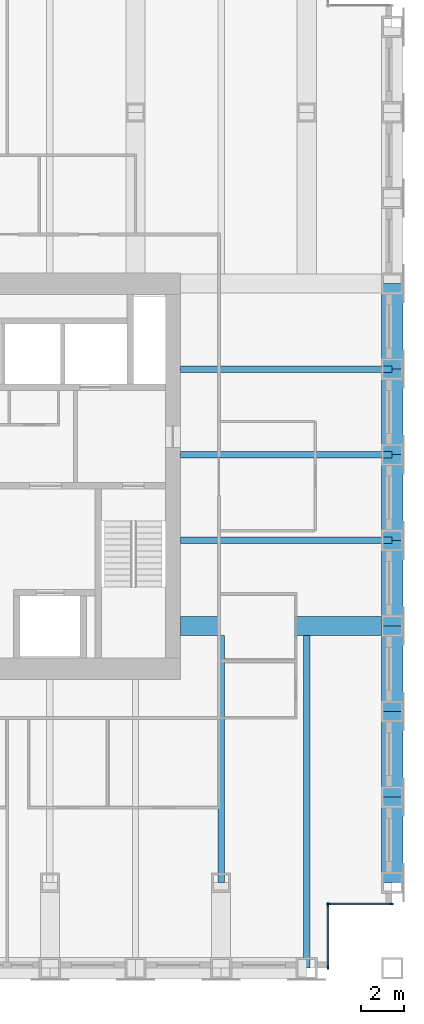
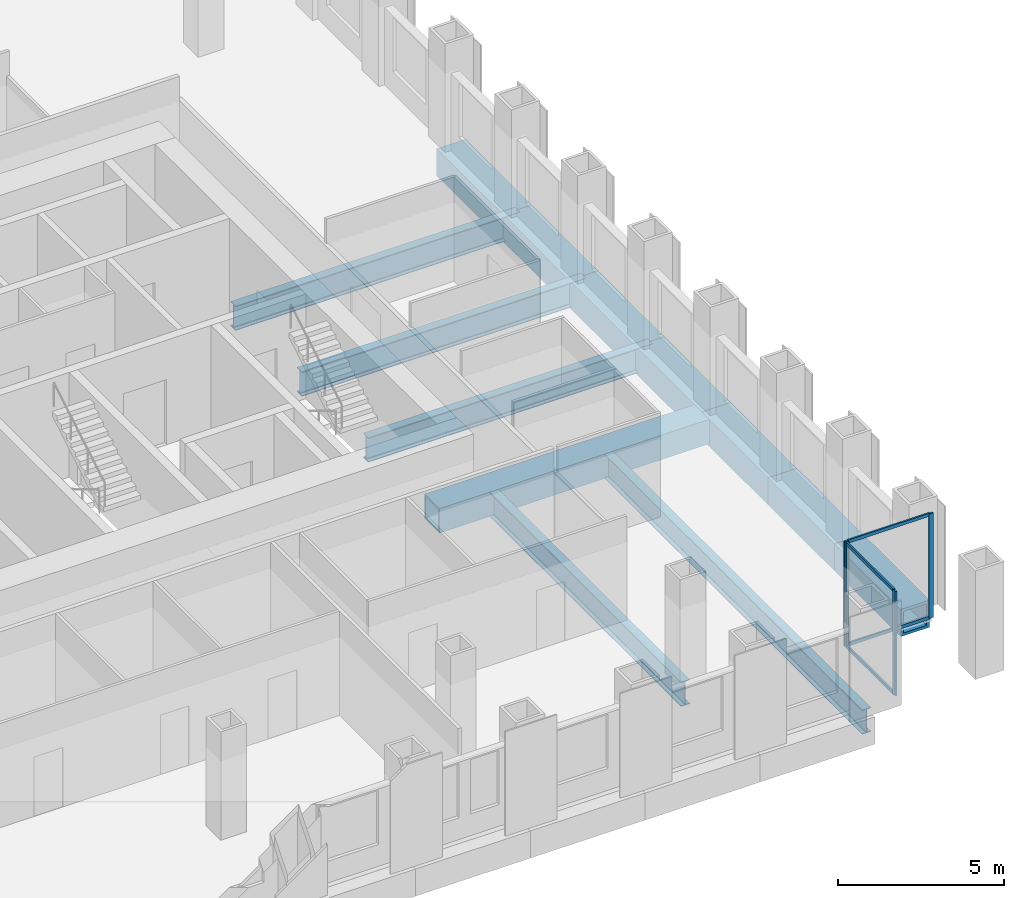
# One storey, part 4 of 12: 13 beams, 8 members, 2 elements without a shape of their own.
"""IFC4 building model written with IfcOpenShell, lengths in metres."""

from ifc_helpers import new_model, si_unit, direction, frame, origin, origin_2d, place, context, subcontext, project, spatial, rectangle, hollow_rectangle, i_section, extrude, material, material_profile, profile_set, type_object, element, aggregate, save


model = new_model("IFC4")

# Units and contexts
model_context = context("Model", 3, precision=1e-05, world=origin(), true_north=direction((0.0, 1.0)))
body_context = subcontext(model_context, "Body", "Model", "MODEL_VIEW")
ifc_project = project(units=[si_unit("LENGTHUNIT", "METRE"), si_unit("AREAUNIT", "SQUARE_METRE"), si_unit("VOLUMEUNIT", "CUBIC_METRE"), si_unit("PLANEANGLEUNIT", "RADIAN"), si_unit("MASSUNIT", "GRAM", prefix="KILO")], contexts=[model_context])

# Site, building, storey
site_placement = place(None, origin())
site = spatial("IfcSite", under=ifc_project, at=site_placement, CompositionType="ELEMENT")
building_placement = place(site_placement, origin())
building = spatial("IfcBuilding", under=site, at=building_placement, Name="Rimbunsela Tower", CompositionType="ELEMENT")
storey_placement = place(building_placement, frame((0.0, 0.0, 155.800048828125)))
storey = spatial("IfcBuildingStorey", under=building, at=storey_placement, Name="L37", CompositionType="ELEMENT", Elevation=155.800048828125)

# Beams
ifc_material_1 = material(Name="Steel BJ 55 (fy 410 MPa)", Category="steel")
ifc_material_profile_1 = material_profile(ifc_material_1, hollow_rectangle(XDim=1.0, YDim=1.0, WallThickness=0.10009765625, at=origin_2d()), Name="BOX 1000x1000x100")
ifc_profile_set_1 = profile_set([ifc_material_profile_1], Name="Steel BJ 55 (fy 410 MPa)")
beam_type_1 = type_object("IfcBeamType", Name="Beam BOX 1000x1000x100", PredefinedType="BEAM", material=ifc_profile_set_1)
for number, where, z_axis, x_axis, name in (
    (1, (46.0, 8.0, -0.650146484375), (0.0, 1.0, 0.0), (-1.0, 0.0, 0.0), "Beam B3 L37"),
    (2, (46.0, 12.0, -0.650146484375), (0.0, 1.0, 0.0), (-1.0, 0.0, 0.0), "Beam B3 L37"),
    (3, (46.0, 16.0, -0.650146484375), (0.0, 1.0, 0.0), (-1.0, 0.0, 0.0), "Beam B3 L37"),
    (4, (46.0, 20.0, -0.650146484375), (0.0, 1.0, 0.0), (-1.0, 0.0, 0.0), "Beam B3 L37"),
    (5, (46.0, 24.0, -0.650146484375), (0.0, 1.0, 0.0), (-1.0, 0.0, 0.0), "Beam B3 L37"),
    (6, (46.0, 28.0, -0.650146484375), (0.0, 1.0, 0.0), (-1.0, 0.0, 0.0), "Beam B3 L37"),
    (7, (46.0, 32.0, -0.650146484375), (0.0, 1.0, 0.0), (-1.0, 0.0, 0.0), "Beam B3 L37"),
):
    element("IfcBeam", number, at=place(storey_placement, frame(where, z_axis=z_axis, x_axis=x_axis)), inside=storey, type_object=beam_type_1, Name=name, PredefinedType="BEAM", context=body_context, shape_type="SweptSolid", body=[
        extrude(hollow_rectangle(XDim=1.0, YDim=1.0, WallThickness=0.10009765625, at=origin_2d()), origin(), (0.0, 0.0, 1.0), 4.0),
    ])
ifc_material_2 = material(Name="Steel BJ 55 (fy 410 MPa)", Category="steel")
ifc_material_profile_2 = material_profile(ifc_material_2, hollow_rectangle(XDim=0.89990234375, YDim=0.89990234375, WallThickness=0.06005859375, at=origin_2d()), Name="BOX 900x900x60")
ifc_profile_set_2 = profile_set([ifc_material_profile_2], Name="Steel BJ 55 (fy 410 MPa)")
beam_type_2 = type_object("IfcBeamType", Name="Beam BOX 900x900x60", PredefinedType="BEAM", material=ifc_profile_set_2)
beam_1_placement = place(storey_placement, frame((36.10009765625, 20.0, -0.60009765625), z_axis=(1.0, 0.0, 0.0), x_axis=(0.0, 1.0, 0.0)))
element("IfcBeam", 8, at=beam_1_placement, inside=storey, type_object=beam_type_2, Name="Beam B1 L37", PredefinedType="BEAM", context=body_context, shape_type="SweptSolid", body=[
    extrude(hollow_rectangle(XDim=0.89990234375, YDim=0.89990234375, WallThickness=0.06005859375, at=origin_2d()), origin(), (0.0, 0.0, 1.0), 9.89990234375),
])
ifc_material_3 = material(Name="Steel BJ 55 (fy 410 MPa)", Category="steel")
ifc_material_profile_3 = material_profile(ifc_material_3, i_section(OverallWidth=0.300048828125, OverallDepth=0.89990234375, WebThickness=0.01611328125, FlangeThickness=0.028076171875, FilletRadius=0.028076171875, at=origin_2d()), Name="H 900x300x16x28")
ifc_profile_set_3 = profile_set([ifc_material_profile_3], Name="Steel BJ 55 (fy 410 MPa)")
beam_type_3 = type_object("IfcBeamType", Name="Beam H 900x300x16x28", PredefinedType="BEAM", material=ifc_profile_set_3)
for number, where, z_axis, x_axis, name in (
    (9, (36.10009765625, 24.0, -0.60009765625), (1.0, 0.0, 0.0), (0.0, 1.0, 0.0), "Beam B2 L37"),
    (10, (36.10009765625, 28.0, -0.60009765625), (1.0, 0.0, 0.0), (0.0, 1.0, 0.0), "Beam B2 L37"),
    (11, (36.10009765625, 32.0, -0.60009765625), (1.0, 0.0, 0.0), (0.0, 1.0, 0.0), "Beam B2 L37"),
):
    element("IfcBeam", number, at=place(storey_placement, frame(where, z_axis=z_axis, x_axis=x_axis)), inside=storey, type_object=beam_type_3, Name=name, PredefinedType="BEAM", context=body_context, shape_type="SweptSolid", body=[
        extrude(i_section(OverallWidth=0.300048828125, OverallDepth=0.89990234375, WebThickness=0.01611328125, FlangeThickness=0.028076171875, FilletRadius=0.028076171875, at=origin_2d()), origin(), (0.0, 0.0, 1.0), 9.89990234375),
    ])
beam_2_placement = place(storey_placement, frame((38.0, 8.0, -0.60009765625), z_axis=(0.0, 1.0, 0.0), x_axis=(-1.0, 0.0, 0.0)))
element("IfcBeam", 12, at=beam_2_placement, inside=storey, type_object=beam_type_3, Name="Beam B2 L37", PredefinedType="BEAM", context=body_context, shape_type="SweptSolid", body=[
    extrude(i_section(OverallWidth=0.300048828125, OverallDepth=0.89990234375, WebThickness=0.01611328125, FlangeThickness=0.028076171875, FilletRadius=0.028076171875, at=origin_2d()), origin(), (0.0, 0.0, 1.0), 11.550048828125),
])
beam_3_placement = place(storey_placement, frame((42.0, 4.0, -0.60009765625), z_axis=(0.0, 1.0, 0.0), x_axis=(-1.0, 0.0, 0.0)))
element("IfcBeam", 13, at=beam_3_placement, inside=storey, type_object=beam_type_3, Name="Beam B2 L37", PredefinedType="BEAM", context=body_context, shape_type="SweptSolid", body=[
    extrude(i_section(OverallWidth=0.300048828125, OverallDepth=0.89990234375, WebThickness=0.01611328125, FlangeThickness=0.028076171875, FilletRadius=0.028076171875, at=origin_2d()), origin(), (0.0, 0.0, 1.0), 15.550048828125),
])

# Curtain wall, members
ifc_material_4 = material(Name="Aluminium curtain wall", Category="aluminium")
curtain_wall_type = type_object("IfcCurtainWallType", Name="Corner glazing", PredefinedType="USERDEFINED", material=ifc_material_4)
curtain_wall_1_placement = place(storey_placement, origin())
curtain_wall_1 = element("IfcCurtainWall", 14, at=curtain_wall_1_placement, inside=storey, type_object=curtain_wall_type, Name="Corner glazing L37", ObjectType="CORNER GLAZING", PredefinedType="USERDEFINED")
ifc_material_5 = material(Name="Aluminium mullion", Category="aluminium")
ifc_material_profile_4 = material_profile(ifc_material_5, rectangle(XDim=0.06005859375, YDim=0.159912109375, at=origin_2d()), Name="Mullion 60x160")
ifc_profile_set_4 = profile_set([ifc_material_profile_4], Name="Aluminium mullion")
member_type_1 = type_object("IfcMemberType", Name="Curtain wall mullion 60x160", PredefinedType="MULLION", material=ifc_profile_set_4)
member_1_placement = place(storey_placement, frame((43.0, 4.030029296875, 0.0), z_axis=(0.0, 0.0, 1.0), x_axis=(-1.0, 0.0, 0.0)))
member_1 = element("IfcMember", 15, at=member_1_placement, type_object=member_type_1, Name="CW5 mullion 1", PredefinedType="MULLION", context=body_context, shape_type="SweptSolid", body=[
    extrude(rectangle(XDim=0.06005859375, YDim=0.159912109375, at=origin_2d()), origin(), (0.0, 0.0, 1.0), 3.849853515625),
])
member_2_placement = place(storey_placement, frame((43.0, 6.969970703125, 0.0), z_axis=(0.0, 0.0, 1.0), x_axis=(-1.0, 0.0, 0.0)))
member_2 = element("IfcMember", 16, at=member_2_placement, type_object=member_type_1, Name="CW5 mullion 2", PredefinedType="MULLION", context=body_context, shape_type="SweptSolid", body=[
    extrude(rectangle(XDim=0.06005859375, YDim=0.159912109375, at=origin_2d()), origin(), (0.0, 0.0, 1.0), 3.849853515625),
])

curtain_wall_2_placement = place(storey_placement, origin())
curtain_wall_2 = element("IfcCurtainWall", 17, at=curtain_wall_2_placement, inside=storey, type_object=curtain_wall_type, Name="Corner glazing L37", ObjectType="CORNER GLAZING", PredefinedType="USERDEFINED")
member_3_placement = place(storey_placement, frame((43.030029296875, 7.0, 0.0), z_axis=(0.0, 0.0, 1.0), x_axis=(0.0, 1.0, 0.0)))
member_3 = element("IfcMember", 18, at=member_3_placement, type_object=member_type_1, Name="CW5 mullion 1", PredefinedType="MULLION", context=body_context, shape_type="SweptSolid", body=[
    extrude(rectangle(XDim=0.06005859375, YDim=0.159912109375, at=origin_2d()), origin(), (0.0, 0.0, 1.0), 3.849853515625),
])
member_4_placement = place(storey_placement, frame((45.969970703125, 7.0, 0.0), z_axis=(0.0, 0.0, 1.0), x_axis=(0.0, 1.0, 0.0)))
member_4 = element("IfcMember", 19, at=member_4_placement, type_object=member_type_1, Name="CW5 mullion 2", PredefinedType="MULLION", context=body_context, shape_type="SweptSolid", body=[
    extrude(rectangle(XDim=0.06005859375, YDim=0.159912109375, at=origin_2d()), origin(), (0.0, 0.0, 1.0), 3.849853515625),
])

# Member
ifc_material_6 = material(Name="Aluminium transom", Category="aluminium")
ifc_material_profile_5 = material_profile(ifc_material_6, rectangle(XDim=0.06005859375, YDim=0.1201171875, at=origin_2d()), Name="Transom 60x120")
ifc_profile_set_5 = profile_set([ifc_material_profile_5], Name="Aluminium transom")
member_type_2 = type_object("IfcMemberType", Name="Curtain wall transom 60x120", PredefinedType="USERDEFINED", material=ifc_profile_set_5)
member_5_placement = place(storey_placement, frame((43.0, 4.06005859375, 0.030029296875), z_axis=(0.0, 1.0, 0.0), x_axis=(-1.0, 0.0, 0.0)))
member_5 = element("IfcMember", 20, at=member_5_placement, type_object=member_type_2, Name="CW5 transom 1.1", ObjectType="TRANSOM", PredefinedType="USERDEFINED", context=body_context, shape_type="SweptSolid", body=[
    extrude(rectangle(XDim=0.06005859375, YDim=0.1201171875, at=origin_2d()), origin(), (0.0, 0.0, 1.0), 2.8798828125),
])

member_6_placement = place(storey_placement, frame((43.0, 4.06005859375, 3.820068359375), z_axis=(0.0, 1.0, 0.0), x_axis=(-1.0, 0.0, 0.0)))
member_6 = element("IfcMember", 21, at=member_6_placement, type_object=member_type_2, Name="CW5 transom 1.2", ObjectType="TRANSOM", PredefinedType="USERDEFINED", context=body_context, shape_type="SweptSolid", body=[
    extrude(rectangle(XDim=0.06005859375, YDim=0.1201171875, at=origin_2d()), origin(), (0.0, 0.0, 1.0), 2.8798828125),
])

aggregate(curtain_wall_1, [member_1, member_2, member_5, member_6])

member_7_placement = place(storey_placement, frame((43.06005859375, 7.0, 0.030029296875), z_axis=(1.0, 0.0, 0.0), x_axis=(0.0, 1.0, 0.0)))
member_7 = element("IfcMember", 22, at=member_7_placement, type_object=member_type_2, Name="CW5 transom 1.1", ObjectType="TRANSOM", PredefinedType="USERDEFINED", context=body_context, shape_type="SweptSolid", body=[
    extrude(rectangle(XDim=0.06005859375, YDim=0.1201171875, at=origin_2d()), origin(), (0.0, 0.0, 1.0), 2.8798828125),
])

member_8_placement = place(storey_placement, frame((43.06005859375, 7.0, 3.820068359375), z_axis=(1.0, 0.0, 0.0), x_axis=(0.0, 1.0, 0.0)))
member_8 = element("IfcMember", 23, at=member_8_placement, type_object=member_type_2, Name="CW5 transom 1.2", ObjectType="TRANSOM", PredefinedType="USERDEFINED", context=body_context, shape_type="SweptSolid", body=[
    extrude(rectangle(XDim=0.06005859375, YDim=0.1201171875, at=origin_2d()), origin(), (0.0, 0.0, 1.0), 2.8798828125),
])

aggregate(curtain_wall_2, [member_3, member_4, member_7, member_8])

save(model, "model.ifc")
